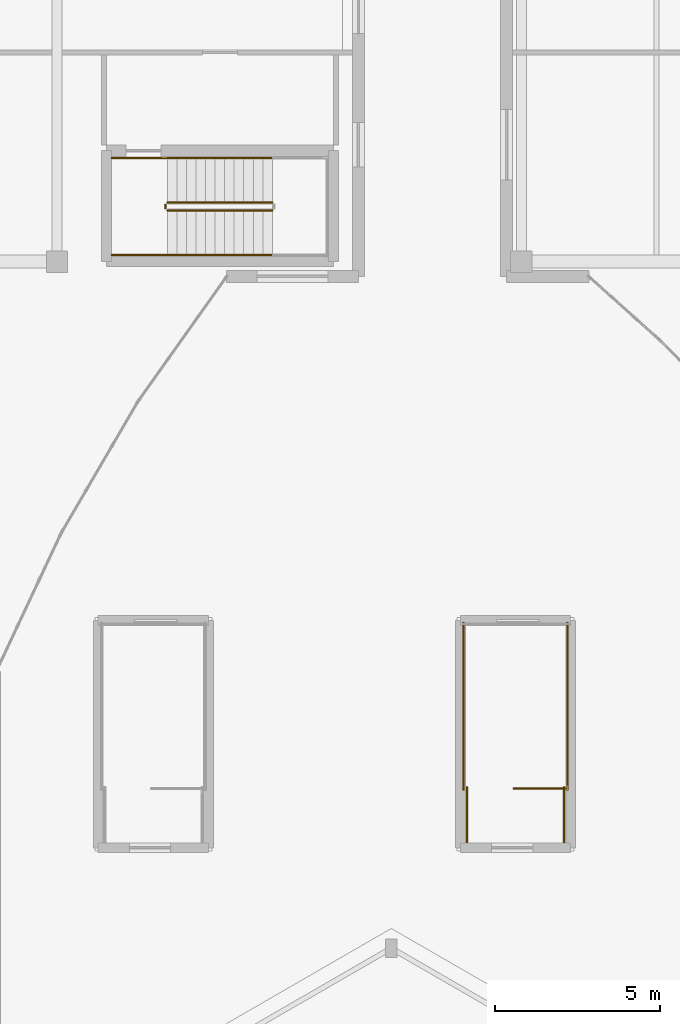
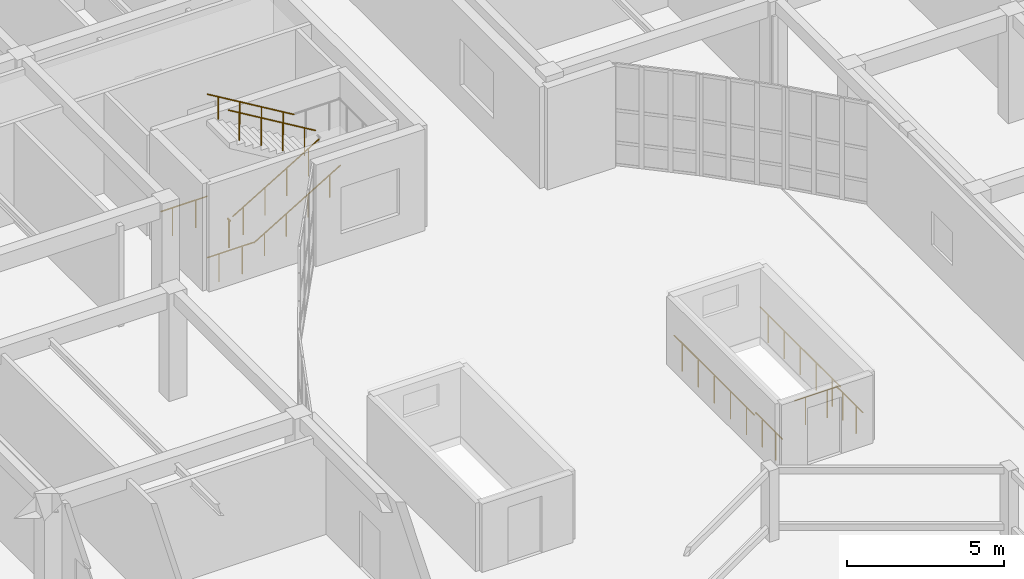
# One storey, part 100 of 114: 12 railings.
"""IFC4 building model written with IfcOpenShell, lengths in metres."""

from ifc_helpers import new_model, si_unit, direction, frame, origin, origin_2d, place, context, subcontext, project, spatial, circle, extrude, material, type_object, element, save


model = new_model("IFC4")

# Units and contexts
model_context = context("Model", 3, precision=1e-05, world=origin(), true_north=direction((0.0, 1.0)))
body_context = subcontext(model_context, "Body", "Model", "MODEL_VIEW")
ifc_project = project(units=[si_unit("LENGTHUNIT", "METRE"), si_unit("AREAUNIT", "SQUARE_METRE"), si_unit("VOLUMEUNIT", "CUBIC_METRE"), si_unit("PLANEANGLEUNIT", "RADIAN"), si_unit("MASSUNIT", "GRAM", prefix="KILO")], contexts=[model_context])

# Site, building, storey
site_placement = place(None, origin())
site = spatial("IfcSite", under=ifc_project, at=site_placement, CompositionType="ELEMENT")
building_placement = place(site_placement, origin())
building = spatial("IfcBuilding", under=site, at=building_placement, Name="Keldmere Railside Commons", CompositionType="ELEMENT")
storey_placement = place(building_placement, origin())
storey = spatial("IfcBuildingStorey", under=building, at=storey_placement, Name="L00", CompositionType="ELEMENT", Elevation=0.0)

# Railings
ifc_material = material(Name="Steel F-24 (S235)", Category="steel")
railing_type_1 = type_object("IfcRailingType", Name="Stair Well Steel Guardrail 1100", PredefinedType="BALUSTRADE", material=ifc_material)
railing_1_placement = place(storey_placement, frame((29.199951171875, 102.0, 0.17333984375)))
element("IfcRailing", 1, at=railing_1_placement, inside=storey, type_object=railing_type_1, Name="L00 ST-D2 stair guard 1", PredefinedType="BALUSTRADE", context=body_context, shape_type="SweptSolid", body=[
    extrude(circle(Radius=0.02392578125, at=origin_2d()), frame((0.0, 0.0, 1.076171875), z_axis=(0.858349611844, 0.0, 0.513065243265), x_axis=(0.0, 1.0, 0.0)), (0.0, 0.0, 1.0), 3.71630859375),
    extrude(circle(Radius=0.02099609375, at=origin_2d()), frame((0.398681640625, 0.0, 0.23828125)), (0.0, 0.0, 1.0), 1.048095703125),
    extrude(circle(Radius=0.02099609375, at=origin_2d()), frame((1.1962890625, 0.0, 0.715087890625)), (0.0, 0.0, 1.0), 1.048095703125),
    extrude(circle(Radius=0.02099609375, at=origin_2d()), frame((1.99365234375, 0.0, 1.191650390625)), (0.0, 0.0, 1.0), 1.048095703125),
    extrude(circle(Radius=0.02099609375, at=origin_2d()), frame((2.791259765625, 0.0, 1.66845703125)), (0.0, 0.0, 1.0), 1.048095703125),
])
railing_2_placement = place(storey_placement, frame((32.389892578125, 102.25, 2.25341796875)))
element("IfcRailing", 2, at=railing_2_placement, inside=storey, type_object=railing_type_1, Name="L00 ST-D2 stair guard 6", PredefinedType="BALUSTRADE", context=body_context, shape_type="SweptSolid", body=[
    extrude(circle(Radius=0.02392578125, at=origin_2d()), frame((0.0, 0.0, 1.076171875), z_axis=(-0.858378542117, 0.0, 0.513016840302), x_axis=(0.0, -1.0, 0.0)), (0.0, 0.0, 1.0), 3.71630859375),
    extrude(circle(Radius=0.02099609375, at=origin_2d()), frame((-0.398681640625, 0.0, 0.23828125)), (0.0, 0.0, 1.0), 1.048095703125),
    extrude(circle(Radius=0.02099609375, at=origin_2d()), frame((-1.1962890625, 0.0, 0.71484375)), (0.0, 0.0, 1.0), 1.048095703125),
    extrude(circle(Radius=0.02099609375, at=origin_2d()), frame((-1.99365234375, 0.0, 1.191650390625)), (0.0, 0.0, 1.0), 1.048095703125),
    extrude(circle(Radius=0.02099609375, at=origin_2d()), frame((-2.791259765625, 0.0, 1.668212890625)), (0.0, 0.0, 1.0), 1.048095703125),
])
railing_3_placement = place(storey_placement, frame((29.14990234375, 102.050048828125, 0.0)))
element("IfcRailing", 3, at=railing_3_placement, inside=storey, type_object=railing_type_1, Name="L00 ST-D2 stair guard 7", PredefinedType="BALUSTRADE", context=body_context, shape_type="SweptSolid", body=[
    extrude(circle(Radius=0.02392578125, at=origin_2d()), frame((0.0, 0.0, 1.076171875), z_axis=(0.0, 1.0, 0.0), x_axis=(-1.0, 0.0, 0.0)), (0.0, 0.0, 1.0), 0.14990234375),
    extrude(circle(Radius=0.02099609375, at=origin_2d()), frame((0.0, 0.074951171875, 0.0)), (0.0, 0.0, 1.0), 1.048095703125),
])
for number, where, name in (
    (4, (27.5, 100.64990234375, 0.0), "L00 ST-D2 stair guard 8"),
    (5, (27.5, 103.60009765625, 0.0), "L00 ST-D2 stair guard 9"),
):
    element("IfcRailing", number, at=place(storey_placement, frame(where)), inside=storey, type_object=railing_type_1, Name=name, PredefinedType="BALUSTRADE", context=body_context, shape_type="SweptSolid", body=[
        extrude(circle(Radius=0.02392578125, at=origin_2d()), frame((0.0, 0.0, 1.076171875), z_axis=(1.0, 0.0, 0.0), x_axis=(0.0, 1.0, 0.0)), (0.0, 0.0, 1.0), 1.699951171875),
        extrude(circle(Radius=0.02099609375, at=origin_2d()), frame((0.425048828125, 0.0, 0.0)), (0.0, 0.0, 1.0), 1.048095703125),
        extrude(circle(Radius=0.02099609375, at=origin_2d()), frame((1.27490234375, 0.0, 0.0)), (0.0, 0.0, 1.0), 1.048095703125),
    ])
railing_4_placement = place(storey_placement, frame((41.300048828125, 84.449951171875, 0.0)))
element("IfcRailing", 6, at=railing_4_placement, inside=storey, type_object=railing_type_1, Name="L00 ST-B2 top well guard 1", PredefinedType="BALUSTRADE", context=body_context, shape_type="SweptSolid", body=[
    extrude(circle(Radius=0.02392578125, at=origin_2d()), frame((0.0, 0.0, 1.076171875), z_axis=(-1.0, 0.0, 0.0), x_axis=(0.0, -1.0, 0.0)), (0.0, 0.0, 1.0), 1.60009765625),
    extrude(circle(Radius=0.02099609375, at=origin_2d()), frame((-0.39990234375, 0.0, 0.0)), (0.0, 0.0, 1.0), 1.048095703125),
    extrude(circle(Radius=0.02099609375, at=origin_2d()), frame((-1.2001953125, 0.0, 0.0)), (0.0, 0.0, 1.0), 1.048095703125),
])
for number, where, name in (
    (7, (41.35009765625, 84.39990234375, 0.0), "L00 ST-B2 top well guard 2"),
    (8, (38.199951171875, 84.39990234375, 0.0), "L00 ST-B2 top well guard 3"),
):
    element("IfcRailing", number, at=place(storey_placement, frame(where)), inside=storey, type_object=railing_type_1, Name=name, PredefinedType="BALUSTRADE", context=body_context, shape_type="SweptSolid", body=[
        extrude(circle(Radius=0.02392578125, at=origin_2d()), frame((0.0, 0.0, 1.076171875), z_axis=(0.0, 1.0, 0.0), x_axis=(-1.0, 0.0, 0.0)), (0.0, 0.0, 1.0), 5.10009765625),
        extrude(circle(Radius=0.02099609375, at=origin_2d()), frame((0.0, 0.510009765625, 0.0)), (0.0, 0.0, 1.0), 1.048095703125),
        extrude(circle(Radius=0.02099609375, at=origin_2d()), frame((0.0, 1.530029296875, 0.0)), (0.0, 0.0, 1.0), 1.048095703125),
        extrude(circle(Radius=0.02099609375, at=origin_2d()), frame((0.0, 2.550048828125, 0.0)), (0.0, 0.0, 1.0), 1.048095703125),
        extrude(circle(Radius=0.02099609375, at=origin_2d()), frame((0.0, 3.570068359375, 0.0)), (0.0, 0.0, 1.0), 1.048095703125),
        extrude(circle(Radius=0.02099609375, at=origin_2d()), frame((0.0, 4.590087890625, 0.0)), (0.0, 0.0, 1.0), 1.048095703125),
    ])
for number, where, name in (
    (9, (41.25, 82.800048828125, 0.0), "L00 ST-B2 top well guard 5"),
    (10, (38.300048828125, 82.800048828125, 0.0), "L00 ST-B2 top well guard 6"),
):
    element("IfcRailing", number, at=place(storey_placement, frame(where)), inside=storey, type_object=railing_type_1, Name=name, PredefinedType="BALUSTRADE", context=body_context, shape_type="SweptSolid", body=[
        extrude(circle(Radius=0.02392578125, at=origin_2d()), frame((0.0, 0.0, 1.076171875), z_axis=(0.0, 1.0, 0.0), x_axis=(-1.0, 0.0, 0.0)), (0.0, 0.0, 1.0), 1.699951171875),
        extrude(circle(Radius=0.02099609375, at=origin_2d()), frame((0.0, 0.425048828125, 0.0)), (0.0, 0.0, 1.0), 1.048095703125),
        extrude(circle(Radius=0.02099609375, at=origin_2d()), frame((0.0, 1.27490234375, 0.0)), (0.0, 0.0, 1.0), 1.048095703125),
    ])
railing_type_2 = type_object("IfcRailingType", Name="Wall-Mounted Tubular Steel Handrail 900", PredefinedType="HANDRAIL", material=ifc_material)
railing_5_placement = place(storey_placement, frame((29.199951171875, 100.64990234375, 0.17333984375)))
element("IfcRailing", 11, at=railing_5_placement, inside=storey, type_object=railing_type_2, Name="L00 ST-D2 stair handrail 1", PredefinedType="HANDRAIL", context=body_context, shape_type="SweptSolid", body=[
    extrude(circle(Radius=0.02392578125, at=origin_2d()), frame((0.0, 0.0, 0.8759765625), z_axis=(0.858349611844, 0.0, 0.513065243265), x_axis=(0.0, 1.0, 0.0)), (0.0, 0.0, 1.0), 3.71630859375),
    extrude(circle(Radius=0.02099609375, at=origin_2d()), frame((0.398681640625, 0.0, 0.23828125)), (0.0, 0.0, 1.0), 0.847900390625),
    extrude(circle(Radius=0.02099609375, at=origin_2d()), frame((1.1962890625, 0.0, 0.715087890625)), (0.0, 0.0, 1.0), 0.847900390625),
    extrude(circle(Radius=0.02099609375, at=origin_2d()), frame((1.99365234375, 0.0, 1.191650390625)), (0.0, 0.0, 1.0), 0.847900390625),
    extrude(circle(Radius=0.02099609375, at=origin_2d()), frame((2.791259765625, 0.0, 1.66845703125)), (0.0, 0.0, 1.0), 0.847900390625),
])
railing_6_placement = place(storey_placement, frame((32.389892578125, 103.60009765625, 2.25341796875)))
element("IfcRailing", 12, at=railing_6_placement, inside=storey, type_object=railing_type_2, Name="L00 ST-D2 stair handrail 2", PredefinedType="HANDRAIL", context=body_context, shape_type="SweptSolid", body=[
    extrude(circle(Radius=0.02392578125, at=origin_2d()), frame((0.0, 0.0, 0.8759765625), z_axis=(-0.858378542117, 0.0, 0.513016840302), x_axis=(0.0, -1.0, 0.0)), (0.0, 0.0, 1.0), 3.71630859375),
    extrude(circle(Radius=0.02099609375, at=origin_2d()), frame((-0.398681640625, 0.0, 0.23828125)), (0.0, 0.0, 1.0), 0.847900390625),
    extrude(circle(Radius=0.02099609375, at=origin_2d()), frame((-1.1962890625, 0.0, 0.71484375)), (0.0, 0.0, 1.0), 0.847900390625),
    extrude(circle(Radius=0.02099609375, at=origin_2d()), frame((-1.99365234375, 0.0, 1.191650390625)), (0.0, 0.0, 1.0), 0.847900390625),
    extrude(circle(Radius=0.02099609375, at=origin_2d()), frame((-2.791259765625, 0.0, 1.668212890625)), (0.0, 0.0, 1.0), 0.847900390625),
])

save(model, "model.ifc")
